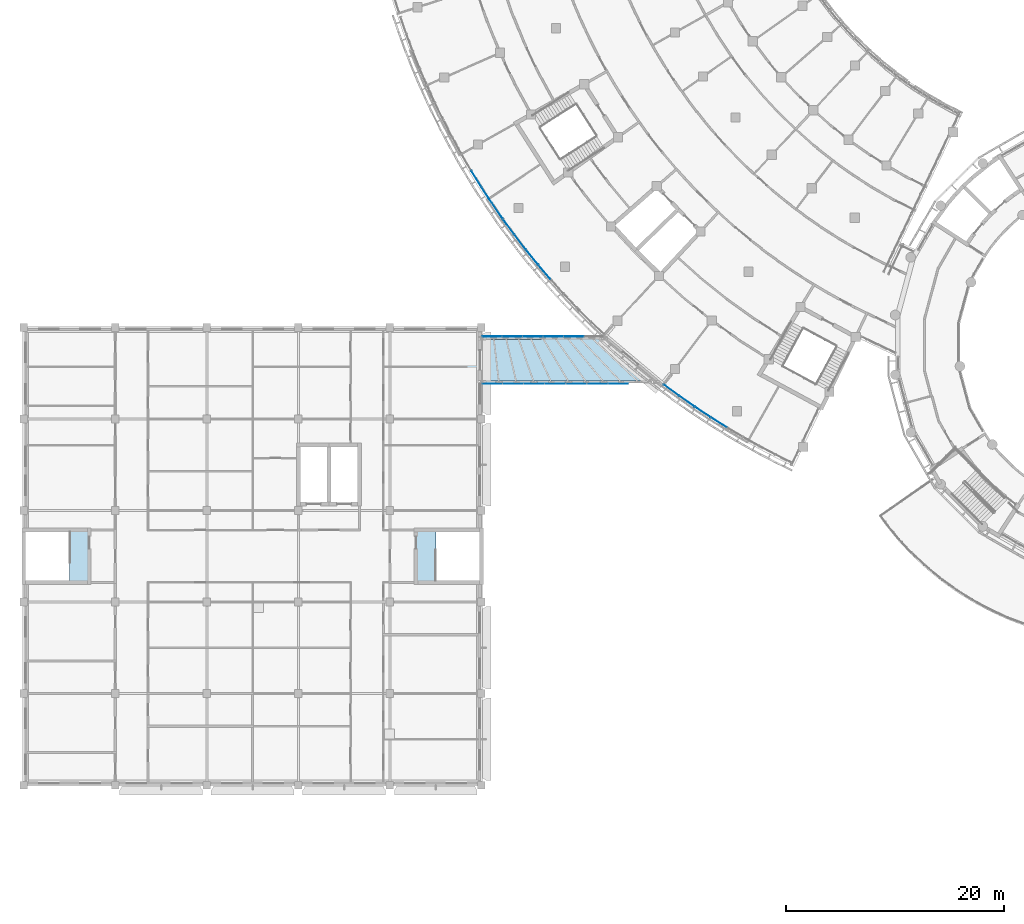
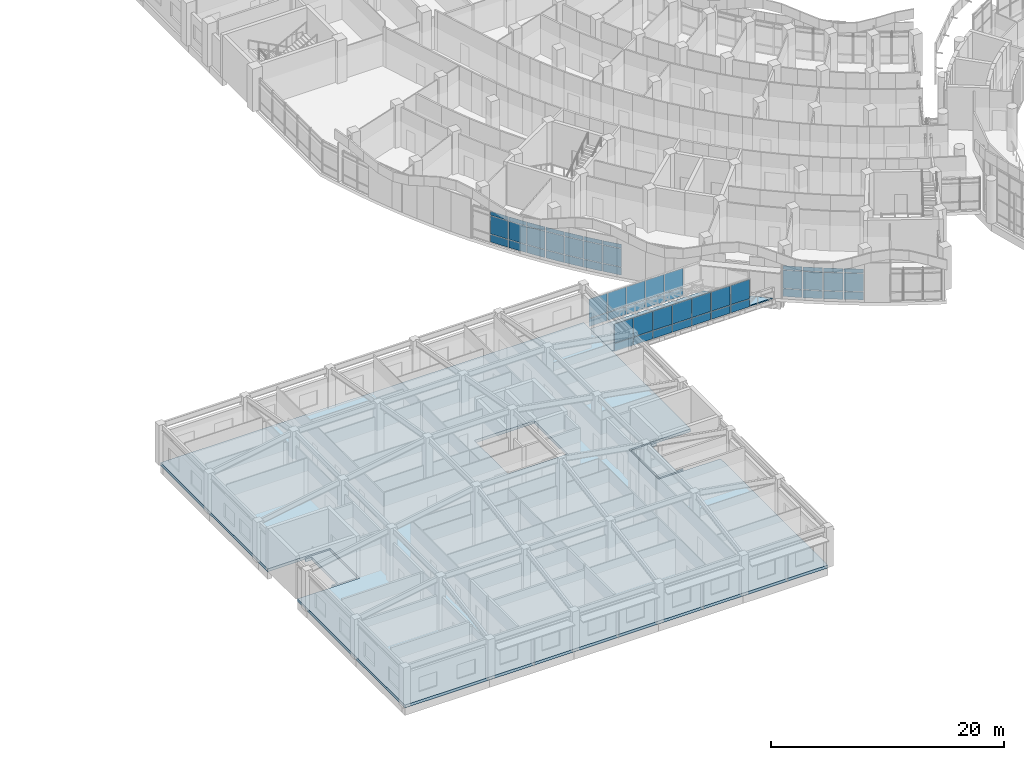
# One storey, part 40 of 136: 57 plates, 4 slabs, 5 elements without a shape of their own.
"""IFC4 building model written with IfcOpenShell, lengths in metres."""

from ifc_helpers import new_model, si_unit, direction, frame, origin, origin_2d, place, context, subcontext, project, spatial, polyline, rectangle, outline, extrude, material, layer, layer_set, type_object, element, aggregate, save


model = new_model("IFC4")

# Units and contexts
model_context = context("Model", 3, precision=1e-05, world=origin(), true_north=direction((0.0, 1.0)))
body_context = subcontext(model_context, "Body", "Model", "MODEL_VIEW")
ifc_project = project(units=[si_unit("LENGTHUNIT", "METRE"), si_unit("AREAUNIT", "SQUARE_METRE"), si_unit("VOLUMEUNIT", "CUBIC_METRE"), si_unit("PLANEANGLEUNIT", "RADIAN"), si_unit("MASSUNIT", "GRAM", prefix="KILO")], contexts=[model_context])

# Site, building, storey
site_placement = place(None, origin())
site = spatial("IfcSite", under=ifc_project, at=site_placement, CompositionType="ELEMENT")
building_placement = place(site_placement, origin())
building = spatial("IfcBuilding", under=site, at=building_placement, Name="Bougainvillea Quay General Hospital", CompositionType="ELEMENT")
storey_placement = place(building_placement, frame((0.0, 0.0, 5.39990234375)))
storey = spatial("IfcBuildingStorey", under=building, at=storey_placement, Name="L01", CompositionType="ELEMENT", Elevation=5.39990234375)

# Curtain wall, plates
ifc_material_1 = material(Name="Aluminium curtain wall system, powder-coated glazed", Category="aluminium")
curtain_wall_type = type_object("IfcCurtainWallType", Name="Unitised curtain wall CW-2100", PredefinedType="NOTDEFINED", material=ifc_material_1)
curtain_wall_1_placement = place(storey_placement, origin())
curtain_wall_1 = element("IfcCurtainWall", 1, at=curtain_wall_1_placement, inside=storey, type_object=curtain_wall_type, Name="CW-W02 a01b1", PredefinedType="NOTDEFINED")
ifc_material_2 = material(Name="Insulated aluminium spandrel panel, white", Category="aluminium")
ifc_layer_1 = layer(ifc_material_2, 0.028076171875)
ifc_layer_set_1 = layer_set([ifc_layer_1], Name="Insulated aluminium spandrel panel, white")
plate_type_1 = type_object("IfcPlateType", Name="Insulated spandrel panel white 28", PredefinedType="CURTAIN_PANEL", material=ifc_layer_set_1)
plate_1_placement = place(storey_placement, frame((72.188720703125, 66.88623046875, 0.06005859375), z_axis=(0.0, 0.0, 1.0), x_axis=(-0.847691824545, 0.530488991968, 0.0)))
plate_1 = element("IfcPlate", 2, at=plate_1_placement, type_object=plate_type_1, Name="CW-W02 spandrel panel 1.1", PredefinedType="CURTAIN_PANEL", context=body_context, shape_type="SweptSolid", body=[
    extrude(rectangle(XDim=1.6787109375, YDim=0.028076171875, at=origin_2d()), origin(), (0.0, 0.0, 1.0), 0.81005859375),
])
plate_2_placement = place(storey_placement, frame((72.188720703125, 66.88623046875, 2.88037109375), z_axis=(0.0, 0.0, 1.0), x_axis=(-0.847691824545, 0.530488991968, 0.0)))
plate_2 = element("IfcPlate", 3, at=plate_2_placement, type_object=plate_type_1, Name="CW-W02 spandrel panel 1.3", PredefinedType="CURTAIN_PANEL", context=body_context, shape_type="SweptSolid", body=[
    extrude(rectangle(XDim=1.6787109375, YDim=0.028076171875, at=origin_2d()), origin(), (0.0, 0.0, 1.0), 0.409912109375),
])
plate_3_placement = place(storey_placement, frame((70.714111328125, 67.83544921875, 0.06005859375), z_axis=(0.0, 0.0, 1.0), x_axis=(-0.833967694391, 0.551813269787, 0.0)))
plate_3 = element("IfcPlate", 4, at=plate_3_placement, type_object=plate_type_1, Name="CW-W02 spandrel panel 2.1", PredefinedType="CURTAIN_PANEL", context=body_context, shape_type="SweptSolid", body=[
    extrude(rectangle(XDim=1.708740234375, YDim=0.028076171875, at=origin_2d()), origin(), (0.0, 0.0, 1.0), 0.81005859375),
])
plate_4_placement = place(storey_placement, frame((70.714111328125, 67.83544921875, 2.88037109375), z_axis=(0.0, 0.0, 1.0), x_axis=(-0.833967694391, 0.551813269787, 0.0)))
plate_4 = element("IfcPlate", 5, at=plate_4_placement, type_object=plate_type_1, Name="CW-W02 spandrel panel 2.3", PredefinedType="CURTAIN_PANEL", context=body_context, shape_type="SweptSolid", body=[
    extrude(rectangle(XDim=1.708740234375, YDim=0.028076171875, at=origin_2d()), origin(), (0.0, 0.0, 1.0), 0.409912109375),
])
plate_5_placement = place(storey_placement, frame((69.251708984375, 68.830078125, 0.06005859375), z_axis=(0.0, 0.0, 1.0), x_axis=(-0.819707259149, 0.572782689419, 0.0)))
plate_5 = element("IfcPlate", 6, at=plate_5_placement, type_object=plate_type_1, Name="CW-W02 spandrel panel 3.1", PredefinedType="CURTAIN_PANEL", context=body_context, shape_type="SweptSolid", body=[
    extrude(rectangle(XDim=1.708740234375, YDim=0.028076171875, at=origin_2d()), origin(), (0.0, 0.0, 1.0), 0.81005859375),
])
plate_6_placement = place(storey_placement, frame((69.251708984375, 68.830078125, 2.88037109375), z_axis=(0.0, 0.0, 1.0), x_axis=(-0.819707259149, 0.572782689419, 0.0)))
plate_6 = element("IfcPlate", 7, at=plate_6_placement, type_object=plate_type_1, Name="CW-W02 spandrel panel 3.3", PredefinedType="CURTAIN_PANEL", context=body_context, shape_type="SweptSolid", body=[
    extrude(rectangle(XDim=1.708740234375, YDim=0.028076171875, at=origin_2d()), origin(), (0.0, 0.0, 1.0), 0.409912109375),
])
plate_7_placement = place(storey_placement, frame((67.826904296875, 69.8525390625, 0.06005859375), z_axis=(0.0, 0.0, 1.0), x_axis=(-0.804919689373, 0.593383765922, 0.0)))
plate_7 = element("IfcPlate", 8, at=plate_7_placement, type_object=plate_type_1, Name="CW-W02 spandrel panel 4.1", PredefinedType="CURTAIN_PANEL", context=body_context, shape_type="SweptSolid", body=[
    extrude(rectangle(XDim=1.6787109375, YDim=0.028076171875, at=origin_2d()), origin(), (0.0, 0.0, 1.0), 0.81005859375),
])
plate_8_placement = place(storey_placement, frame((67.826904296875, 69.8525390625, 2.88037109375), z_axis=(0.0, 0.0, 1.0), x_axis=(-0.804919689373, 0.593383765922, 0.0)))
plate_8 = element("IfcPlate", 9, at=plate_8_placement, type_object=plate_type_1, Name="CW-W02 spandrel panel 4.3", PredefinedType="CURTAIN_PANEL", context=body_context, shape_type="SweptSolid", body=[
    extrude(rectangle(XDim=1.6787109375, YDim=0.028076171875, at=origin_2d()), origin(), (0.0, 0.0, 1.0), 0.409912109375),
])

curtain_wall_2_placement = place(storey_placement, origin())
curtain_wall_2 = element("IfcCurtainWall", 10, at=curtain_wall_2_placement, inside=storey, type_object=curtain_wall_type, Name="CW-W05 a01b4", PredefinedType="NOTDEFINED")
plate_9_placement = place(storey_placement, frame((56.17626953125, 80.6923828125, 0.06005859375), z_axis=(0.0, 0.0, 1.0), x_axis=(-0.649786409486, 0.760116847627, 0.0)))
plate_9 = element("IfcPlate", 11, at=plate_9_placement, type_object=plate_type_1, Name="CW-W05 spandrel panel 1.1", PredefinedType="CURTAIN_PANEL", context=body_context, shape_type="SweptSolid", body=[
    extrude(rectangle(XDim=1.6787109375, YDim=0.028076171875, at=origin_2d()), origin(), (0.0, 0.0, 1.0), 0.81005859375),
])
plate_10_placement = place(storey_placement, frame((56.17626953125, 80.6923828125, 2.88037109375), z_axis=(0.0, 0.0, 1.0), x_axis=(-0.649786409486, 0.760116847627, 0.0)))
plate_10 = element("IfcPlate", 12, at=plate_10_placement, type_object=plate_type_1, Name="CW-W05 spandrel panel 1.3", PredefinedType="CURTAIN_PANEL", context=body_context, shape_type="SweptSolid", body=[
    extrude(rectangle(XDim=1.6787109375, YDim=0.028076171875, at=origin_2d()), origin(), (0.0, 0.0, 1.0), 0.409912109375),
])
plate_11_placement = place(storey_placement, frame((55.053955078125, 82.039794921875, 0.06005859375), z_axis=(0.0, 0.0, 1.0), x_axis=(-0.630303259266, 0.776349020324, 0.0)))
plate_11 = element("IfcPlate", 13, at=plate_11_placement, type_object=plate_type_1, Name="CW-W05 spandrel panel 2.1", PredefinedType="CURTAIN_PANEL", context=body_context, shape_type="SweptSolid", body=[
    extrude(rectangle(XDim=1.708740234375, YDim=0.028076171875, at=origin_2d()), origin(), (0.0, 0.0, 1.0), 0.81005859375),
])
plate_12_placement = place(storey_placement, frame((55.053955078125, 82.039794921875, 2.88037109375), z_axis=(0.0, 0.0, 1.0), x_axis=(-0.630303259266, 0.776349020324, 0.0)))
plate_12 = element("IfcPlate", 14, at=plate_12_placement, type_object=plate_type_1, Name="CW-W05 spandrel panel 2.3", PredefinedType="CURTAIN_PANEL", context=body_context, shape_type="SweptSolid", body=[
    extrude(rectangle(XDim=1.708740234375, YDim=0.028076171875, at=origin_2d()), origin(), (0.0, 0.0, 1.0), 0.409912109375),
])
plate_13_placement = place(storey_placement, frame((53.956787109375, 83.427001953125, 0.06005859375), z_axis=(0.0, 0.0, 1.0), x_axis=(-0.610414775786, 0.792081941154, 0.0)))
plate_13 = element("IfcPlate", 15, at=plate_13_placement, type_object=plate_type_1, Name="CW-W05 spandrel panel 3.1", PredefinedType="CURTAIN_PANEL", context=body_context, shape_type="SweptSolid", body=[
    extrude(rectangle(XDim=1.708740234375, YDim=0.028076171875, at=origin_2d()), origin(), (0.0, 0.0, 1.0), 0.81005859375),
])
plate_14_placement = place(storey_placement, frame((53.956787109375, 83.427001953125, 2.88037109375), z_axis=(0.0, 0.0, 1.0), x_axis=(-0.610414775786, 0.792081941154, 0.0)))
plate_14 = element("IfcPlate", 16, at=plate_14_placement, type_object=plate_type_1, Name="CW-W05 spandrel panel 3.3", PredefinedType="CURTAIN_PANEL", context=body_context, shape_type="SweptSolid", body=[
    extrude(rectangle(XDim=1.708740234375, YDim=0.028076171875, at=origin_2d()), origin(), (0.0, 0.0, 1.0), 0.409912109375),
])
plate_15_placement = place(storey_placement, frame((52.90380859375, 84.829345703125, 0.06005859375), z_axis=(0.0, 0.0, 1.0), x_axis=(-0.590133748864, 0.807305492643, 0.0)))
plate_15 = element("IfcPlate", 17, at=plate_15_placement, type_object=plate_type_1, Name="CW-W05 spandrel panel 4.1", PredefinedType="CURTAIN_PANEL", context=body_context, shape_type="SweptSolid", body=[
    extrude(rectangle(XDim=1.6787109375, YDim=0.028076171875, at=origin_2d()), origin(), (0.0, 0.0, 1.0), 0.81005859375),
])
plate_16_placement = place(storey_placement, frame((52.90380859375, 84.829345703125, 2.88037109375), z_axis=(0.0, 0.0, 1.0), x_axis=(-0.590133748864, 0.807305492643, 0.0)))
plate_16 = element("IfcPlate", 18, at=plate_16_placement, type_object=plate_type_1, Name="CW-W05 spandrel panel 4.3", PredefinedType="CURTAIN_PANEL", context=body_context, shape_type="SweptSolid", body=[
    extrude(rectangle(XDim=1.6787109375, YDim=0.028076171875, at=origin_2d()), origin(), (0.0, 0.0, 1.0), 0.409912109375),
])

curtain_wall_3_placement = place(storey_placement, origin())
curtain_wall_3 = element("IfcCurtainWall", 19, at=curtain_wall_3_placement, inside=storey, type_object=curtain_wall_type, Name="CW-W06 a01b5", PredefinedType="NOTDEFINED")
plate_17_placement = place(storey_placement, frame((51.86083984375, 86.294677734375, 0.06005859375), z_axis=(0.0, 0.0, 1.0), x_axis=(-0.569473220753, 0.822009884883, 0.0)))
plate_17 = element("IfcPlate", 20, at=plate_17_placement, type_object=plate_type_1, Name="CW-W06 spandrel panel 1.1", PredefinedType="CURTAIN_PANEL", context=body_context, shape_type="SweptSolid", body=[
    extrude(rectangle(XDim=1.6787109375, YDim=0.028076171875, at=origin_2d()), origin(), (0.0, 0.0, 1.0), 0.81005859375),
])
plate_18_placement = place(storey_placement, frame((51.86083984375, 86.294677734375, 2.88037109375), z_axis=(0.0, 0.0, 1.0), x_axis=(-0.569473220753, 0.822009884883, 0.0)))
plate_18 = element("IfcPlate", 21, at=plate_18_placement, type_object=plate_type_1, Name="CW-W06 spandrel panel 1.3", PredefinedType="CURTAIN_PANEL", context=body_context, shape_type="SweptSolid", body=[
    extrude(rectangle(XDim=1.6787109375, YDim=0.028076171875, at=origin_2d()), origin(), (0.0, 0.0, 1.0), 0.409912109375),
])
plate_19_placement = place(storey_placement, frame((50.880859375, 87.7490234375, 0.06005859375), z_axis=(0.0, 0.0, 1.0), x_axis=(-0.548446477755, 0.836185661823, 0.0)))
plate_19 = element("IfcPlate", 22, at=plate_19_placement, type_object=plate_type_1, Name="CW-W06 spandrel panel 2.1", PredefinedType="CURTAIN_PANEL", context=body_context, shape_type="SweptSolid", body=[
    extrude(rectangle(XDim=1.708740234375, YDim=0.028076171875, at=origin_2d()), origin(), (0.0, 0.0, 1.0), 0.81005859375),
])
plate_20_placement = place(storey_placement, frame((50.880859375, 87.7490234375, 2.88037109375), z_axis=(0.0, 0.0, 1.0), x_axis=(-0.548446477755, 0.836185661823, 0.0)))
plate_20 = element("IfcPlate", 23, at=plate_20_placement, type_object=plate_type_1, Name="CW-W06 spandrel panel 2.3", PredefinedType="CURTAIN_PANEL", context=body_context, shape_type="SweptSolid", body=[
    extrude(rectangle(XDim=1.708740234375, YDim=0.028076171875, at=origin_2d()), origin(), (0.0, 0.0, 1.0), 0.409912109375),
])
plate_21_placement = place(storey_placement, frame((49.9296875, 89.239990234375, 0.06005859375), z_axis=(0.0, 0.0, 1.0), x_axis=(-0.527067041675, 0.849823707353, 0.0)))
plate_21 = element("IfcPlate", 24, at=plate_21_placement, type_object=plate_type_1, Name="CW-W06 spandrel panel 3.1", PredefinedType="CURTAIN_PANEL", context=body_context, shape_type="SweptSolid", body=[
    extrude(rectangle(XDim=1.708740234375, YDim=0.028076171875, at=origin_2d()), origin(), (0.0, 0.0, 1.0), 0.81005859375),
])
plate_22_placement = place(storey_placement, frame((49.9296875, 89.239990234375, 2.88037109375), z_axis=(0.0, 0.0, 1.0), x_axis=(-0.527067041675, 0.849823707353, 0.0)))
plate_22 = element("IfcPlate", 25, at=plate_22_placement, type_object=plate_type_1, Name="CW-W06 spandrel panel 3.3", PredefinedType="CURTAIN_PANEL", context=body_context, shape_type="SweptSolid", body=[
    extrude(rectangle(XDim=1.708740234375, YDim=0.028076171875, at=origin_2d()), origin(), (0.0, 0.0, 1.0), 0.409912109375),
])

curtain_wall_4_placement = place(storey_placement, origin())
curtain_wall_4 = element("IfcCurtainWall", 26, at=curtain_wall_4_placement, inside=storey, type_object=curtain_wall_type, Name="BG-L L", PredefinedType="NOTDEFINED")
plate_23_placement = place(storey_placement, frame((51.355712890625, 74.760009765625, 0.06005859375), z_axis=(0.0, 0.0, 1.0), x_axis=(1.0, 0.0, 0.0)))
plate_23 = element("IfcPlate", 27, at=plate_23_placement, type_object=plate_type_1, Name="BG-L spandrel panel 1.1", PredefinedType="CURTAIN_PANEL", context=body_context, shape_type="SweptSolid", body=[
    extrude(rectangle(XDim=1.791259765625, YDim=0.028076171875, at=origin_2d()), origin(), (0.0, 0.0, 1.0), 0.81005859375),
])
plate_24_placement = place(storey_placement, frame((53.221923828125, 74.760009765625, 0.06005859375), z_axis=(0.0, 0.0, 1.0), x_axis=(1.0, 0.0, 0.0)))
plate_24 = element("IfcPlate", 28, at=plate_24_placement, type_object=plate_type_1, Name="BG-L spandrel panel 2.1", PredefinedType="CURTAIN_PANEL", context=body_context, shape_type="SweptSolid", body=[
    extrude(rectangle(XDim=1.8212890625, YDim=0.028076171875, at=origin_2d()), origin(), (0.0, 0.0, 1.0), 0.81005859375),
])
plate_25_placement = place(storey_placement, frame((55.10302734375, 74.760009765625, 0.06005859375), z_axis=(0.0, 0.0, 1.0), x_axis=(1.0, 0.0, 0.0)))
plate_25 = element("IfcPlate", 29, at=plate_25_placement, type_object=plate_type_1, Name="BG-L spandrel panel 3.1", PredefinedType="CURTAIN_PANEL", context=body_context, shape_type="SweptSolid", body=[
    extrude(rectangle(XDim=1.8212890625, YDim=0.028076171875, at=origin_2d()), origin(), (0.0, 0.0, 1.0), 0.81005859375),
])
plate_26_placement = place(storey_placement, frame((56.984375, 74.760009765625, 0.06005859375), z_axis=(0.0, 0.0, 1.0), x_axis=(1.0, 0.0, 0.0)))
plate_26 = element("IfcPlate", 30, at=plate_26_placement, type_object=plate_type_1, Name="BG-L spandrel panel 4.1", PredefinedType="CURTAIN_PANEL", context=body_context, shape_type="SweptSolid", body=[
    extrude(rectangle(XDim=1.8212890625, YDim=0.028076171875, at=origin_2d()), origin(), (0.0, 0.0, 1.0), 0.81005859375),
])
plate_27_placement = place(storey_placement, frame((58.865478515625, 74.760009765625, 0.06005859375), z_axis=(0.0, 0.0, 1.0), x_axis=(1.0, 0.0, 0.0)))
plate_27 = element("IfcPlate", 31, at=plate_27_placement, type_object=plate_type_1, Name="BG-L spandrel panel 5.1", PredefinedType="CURTAIN_PANEL", context=body_context, shape_type="SweptSolid", body=[
    extrude(rectangle(XDim=1.8212890625, YDim=0.028076171875, at=origin_2d()), origin(), (0.0, 0.0, 1.0), 0.81005859375),
])

curtain_wall_5_placement = place(storey_placement, origin())
curtain_wall_5 = element("IfcCurtainWall", 32, at=curtain_wall_5_placement, inside=storey, type_object=curtain_wall_type, Name="BG-R R", PredefinedType="NOTDEFINED")
plate_28_placement = place(storey_placement, frame((62.957763671875, 70.43994140625, 0.06005859375), z_axis=(0.0, 0.0, 1.0), x_axis=(-1.0, 0.0, 0.0)))
plate_28 = element("IfcPlate", 33, at=plate_28_placement, type_object=plate_type_1, Name="BG-R spandrel panel 1.1", PredefinedType="CURTAIN_PANEL", context=body_context, shape_type="SweptSolid", body=[
    extrude(rectangle(XDim=1.84423828125, YDim=0.028076171875, at=origin_2d()), origin(), (0.0, 0.0, 1.0), 0.81005859375),
])
plate_29_placement = place(storey_placement, frame((61.03857421875, 70.43994140625, 0.06005859375), z_axis=(0.0, 0.0, 1.0), x_axis=(-1.0, 0.0, 0.0)))
plate_29 = element("IfcPlate", 34, at=plate_29_placement, type_object=plate_type_1, Name="BG-R spandrel panel 2.1", PredefinedType="CURTAIN_PANEL", context=body_context, shape_type="SweptSolid", body=[
    extrude(rectangle(XDim=1.874267578125, YDim=0.028076171875, at=origin_2d()), origin(), (0.0, 0.0, 1.0), 0.81005859375),
])
plate_30_placement = place(storey_placement, frame((59.104248046875, 70.43994140625, 0.06005859375), z_axis=(0.0, 0.0, 1.0), x_axis=(-1.0, 0.0, 0.0)))
plate_30 = element("IfcPlate", 35, at=plate_30_placement, type_object=plate_type_1, Name="BG-R spandrel panel 3.1", PredefinedType="CURTAIN_PANEL", context=body_context, shape_type="SweptSolid", body=[
    extrude(rectangle(XDim=1.874267578125, YDim=0.028076171875, at=origin_2d()), origin(), (0.0, 0.0, 1.0), 0.81005859375),
])
plate_31_placement = place(storey_placement, frame((57.169921875, 70.43994140625, 0.06005859375), z_axis=(0.0, 0.0, 1.0), x_axis=(-1.0, 0.0, 0.0)))
plate_31 = element("IfcPlate", 36, at=plate_31_placement, type_object=plate_type_1, Name="BG-R spandrel panel 4.1", PredefinedType="CURTAIN_PANEL", context=body_context, shape_type="SweptSolid", body=[
    extrude(rectangle(XDim=1.874267578125, YDim=0.028076171875, at=origin_2d()), origin(), (0.0, 0.0, 1.0), 0.81005859375),
])
plate_32_placement = place(storey_placement, frame((55.235595703125, 70.43994140625, 0.06005859375), z_axis=(0.0, 0.0, 1.0), x_axis=(-1.0, 0.0, 0.0)))
plate_32 = element("IfcPlate", 37, at=plate_32_placement, type_object=plate_type_1, Name="BG-R spandrel panel 5.1", PredefinedType="CURTAIN_PANEL", context=body_context, shape_type="SweptSolid", body=[
    extrude(rectangle(XDim=1.874267578125, YDim=0.028076171875, at=origin_2d()), origin(), (0.0, 0.0, 1.0), 0.81005859375),
])
plate_33_placement = place(storey_placement, frame((53.301513671875, 70.43994140625, 0.06005859375), z_axis=(0.0, 0.0, 1.0), x_axis=(-1.0, 0.0, 0.0)))
plate_33 = element("IfcPlate", 38, at=plate_33_placement, type_object=plate_type_1, Name="BG-R spandrel panel 6.1", PredefinedType="CURTAIN_PANEL", context=body_context, shape_type="SweptSolid", body=[
    extrude(rectangle(XDim=1.874267578125, YDim=0.028076171875, at=origin_2d()), origin(), (0.0, 0.0, 1.0), 0.81005859375),
])
plate_34_placement = place(storey_placement, frame((51.382080078125, 70.43994140625, 0.06005859375), z_axis=(0.0, 0.0, 1.0), x_axis=(-1.0, 0.0, 0.0)))
plate_34 = element("IfcPlate", 39, at=plate_34_placement, type_object=plate_type_1, Name="BG-R spandrel panel 7.1", PredefinedType="CURTAIN_PANEL", context=body_context, shape_type="SweptSolid", body=[
    extrude(rectangle(XDim=1.84423828125, YDim=0.028076171875, at=origin_2d()), origin(), (0.0, 0.0, 1.0), 0.81005859375),
])

# Plate
ifc_material_3 = material(Name="Low-e laminated glass, solar control", Category="glass")
ifc_layer_2 = layer(ifc_material_3, 0.028076171875)
ifc_layer_set_2 = layer_set([ifc_layer_2], Name="Low-e laminated glass, solar control")
plate_type_2 = type_object("IfcPlateType", Name="Low-e laminated vision glass 28", PredefinedType="CURTAIN_PANEL", material=ifc_layer_set_2)
plate_35_placement = place(storey_placement, frame((72.188720703125, 66.88623046875, 0.93017578125), z_axis=(0.0, 0.0, 1.0), x_axis=(-0.847691824545, 0.530488991968, 0.0)))
plate_35 = element("IfcPlate", 40, at=plate_35_placement, type_object=plate_type_2, Name="CW-W02 vision glass panel 1.2", PredefinedType="CURTAIN_PANEL", context=body_context, shape_type="SweptSolid", body=[
    extrude(rectangle(XDim=1.6787109375, YDim=0.028076171875, at=origin_2d()), origin(), (0.0, 0.0, 1.0), 1.889892578125),
])

plate_36_placement = place(storey_placement, frame((70.714111328125, 67.83544921875, 0.93017578125), z_axis=(0.0, 0.0, 1.0), x_axis=(-0.833967694391, 0.551813269787, 0.0)))
plate_36 = element("IfcPlate", 41, at=plate_36_placement, type_object=plate_type_2, Name="CW-W02 vision glass panel 2.2", PredefinedType="CURTAIN_PANEL", context=body_context, shape_type="SweptSolid", body=[
    extrude(rectangle(XDim=1.708740234375, YDim=0.028076171875, at=origin_2d()), origin(), (0.0, 0.0, 1.0), 1.889892578125),
])

plate_37_placement = place(storey_placement, frame((69.251708984375, 68.830078125, 0.93017578125), z_axis=(0.0, 0.0, 1.0), x_axis=(-0.819707259149, 0.572782689419, 0.0)))
plate_37 = element("IfcPlate", 42, at=plate_37_placement, type_object=plate_type_2, Name="CW-W02 vision glass panel 3.2", PredefinedType="CURTAIN_PANEL", context=body_context, shape_type="SweptSolid", body=[
    extrude(rectangle(XDim=1.708740234375, YDim=0.028076171875, at=origin_2d()), origin(), (0.0, 0.0, 1.0), 1.889892578125),
])

plate_38_placement = place(storey_placement, frame((67.826904296875, 69.8525390625, 0.93017578125), z_axis=(0.0, 0.0, 1.0), x_axis=(-0.804919689373, 0.593383765922, 0.0)))
plate_38 = element("IfcPlate", 43, at=plate_38_placement, type_object=plate_type_2, Name="CW-W02 vision glass panel 4.2", PredefinedType="CURTAIN_PANEL", context=body_context, shape_type="SweptSolid", body=[
    extrude(rectangle(XDim=1.6787109375, YDim=0.028076171875, at=origin_2d()), origin(), (0.0, 0.0, 1.0), 1.889892578125),
])

aggregate(curtain_wall_1, [plate_1, plate_35, plate_2, plate_3, plate_36, plate_4, plate_5, plate_37, plate_6, plate_7, plate_38, plate_8])

plate_39_placement = place(storey_placement, frame((56.17626953125, 80.6923828125, 0.93017578125), z_axis=(0.0, 0.0, 1.0), x_axis=(-0.649786409486, 0.760116847627, 0.0)))
plate_39 = element("IfcPlate", 44, at=plate_39_placement, type_object=plate_type_2, Name="CW-W05 vision glass panel 1.2", PredefinedType="CURTAIN_PANEL", context=body_context, shape_type="SweptSolid", body=[
    extrude(rectangle(XDim=1.6787109375, YDim=0.028076171875, at=origin_2d()), origin(), (0.0, 0.0, 1.0), 1.889892578125),
])

plate_40_placement = place(storey_placement, frame((55.053955078125, 82.039794921875, 0.93017578125), z_axis=(0.0, 0.0, 1.0), x_axis=(-0.630303259266, 0.776349020324, 0.0)))
plate_40 = element("IfcPlate", 45, at=plate_40_placement, type_object=plate_type_2, Name="CW-W05 vision glass panel 2.2", PredefinedType="CURTAIN_PANEL", context=body_context, shape_type="SweptSolid", body=[
    extrude(rectangle(XDim=1.708740234375, YDim=0.028076171875, at=origin_2d()), origin(), (0.0, 0.0, 1.0), 1.889892578125),
])

plate_41_placement = place(storey_placement, frame((53.956787109375, 83.427001953125, 0.93017578125), z_axis=(0.0, 0.0, 1.0), x_axis=(-0.610414775786, 0.792081941154, 0.0)))
plate_41 = element("IfcPlate", 46, at=plate_41_placement, type_object=plate_type_2, Name="CW-W05 vision glass panel 3.2", PredefinedType="CURTAIN_PANEL", context=body_context, shape_type="SweptSolid", body=[
    extrude(rectangle(XDim=1.708740234375, YDim=0.028076171875, at=origin_2d()), origin(), (0.0, 0.0, 1.0), 1.889892578125),
])

plate_42_placement = place(storey_placement, frame((52.90380859375, 84.829345703125, 0.93017578125), z_axis=(0.0, 0.0, 1.0), x_axis=(-0.590133748864, 0.807305492643, 0.0)))
plate_42 = element("IfcPlate", 47, at=plate_42_placement, type_object=plate_type_2, Name="CW-W05 vision glass panel 4.2", PredefinedType="CURTAIN_PANEL", context=body_context, shape_type="SweptSolid", body=[
    extrude(rectangle(XDim=1.6787109375, YDim=0.028076171875, at=origin_2d()), origin(), (0.0, 0.0, 1.0), 1.889892578125),
])

aggregate(curtain_wall_2, [plate_9, plate_39, plate_10, plate_11, plate_40, plate_12, plate_13, plate_41, plate_14, plate_15, plate_42, plate_16])

plate_43_placement = place(storey_placement, frame((51.86083984375, 86.294677734375, 0.93017578125), z_axis=(0.0, 0.0, 1.0), x_axis=(-0.569473220753, 0.822009884883, 0.0)))
plate_43 = element("IfcPlate", 48, at=plate_43_placement, type_object=plate_type_2, Name="CW-W06 vision glass panel 1.2", PredefinedType="CURTAIN_PANEL", context=body_context, shape_type="SweptSolid", body=[
    extrude(rectangle(XDim=1.6787109375, YDim=0.028076171875, at=origin_2d()), origin(), (0.0, 0.0, 1.0), 1.889892578125),
])

plate_44_placement = place(storey_placement, frame((50.880859375, 87.7490234375, 0.93017578125), z_axis=(0.0, 0.0, 1.0), x_axis=(-0.548446477755, 0.836185661823, 0.0)))
plate_44 = element("IfcPlate", 49, at=plate_44_placement, type_object=plate_type_2, Name="CW-W06 vision glass panel 2.2", PredefinedType="CURTAIN_PANEL", context=body_context, shape_type="SweptSolid", body=[
    extrude(rectangle(XDim=1.708740234375, YDim=0.028076171875, at=origin_2d()), origin(), (0.0, 0.0, 1.0), 1.889892578125),
])

plate_45_placement = place(storey_placement, frame((49.9296875, 89.239990234375, 0.93017578125), z_axis=(0.0, 0.0, 1.0), x_axis=(-0.527067041675, 0.849823707353, 0.0)))
plate_45 = element("IfcPlate", 50, at=plate_45_placement, type_object=plate_type_2, Name="CW-W06 vision glass panel 3.2", PredefinedType="CURTAIN_PANEL", context=body_context, shape_type="SweptSolid", body=[
    extrude(rectangle(XDim=1.708740234375, YDim=0.028076171875, at=origin_2d()), origin(), (0.0, 0.0, 1.0), 1.889892578125),
])

aggregate(curtain_wall_3, [plate_17, plate_43, plate_18, plate_19, plate_44, plate_20, plate_21, plate_45, plate_22])

plate_46_placement = place(storey_placement, frame((51.355712890625, 74.760009765625, 0.93017578125), z_axis=(0.0, 0.0, 1.0), x_axis=(1.0, 0.0, 0.0)))
plate_46 = element("IfcPlate", 51, at=plate_46_placement, type_object=plate_type_2, Name="BG-L vision glass panel 1.2", PredefinedType="CURTAIN_PANEL", context=body_context, shape_type="SweptSolid", body=[
    extrude(rectangle(XDim=1.791259765625, YDim=0.028076171875, at=origin_2d()), origin(), (0.0, 0.0, 1.0), 2.010009765625),
])

plate_47_placement = place(storey_placement, frame((53.221923828125, 74.760009765625, 0.93017578125), z_axis=(0.0, 0.0, 1.0), x_axis=(1.0, 0.0, 0.0)))
plate_47 = element("IfcPlate", 52, at=plate_47_placement, type_object=plate_type_2, Name="BG-L vision glass panel 2.2", PredefinedType="CURTAIN_PANEL", context=body_context, shape_type="SweptSolid", body=[
    extrude(rectangle(XDim=1.8212890625, YDim=0.028076171875, at=origin_2d()), origin(), (0.0, 0.0, 1.0), 2.010009765625),
])

plate_48_placement = place(storey_placement, frame((55.10302734375, 74.760009765625, 0.93017578125), z_axis=(0.0, 0.0, 1.0), x_axis=(1.0, 0.0, 0.0)))
plate_48 = element("IfcPlate", 53, at=plate_48_placement, type_object=plate_type_2, Name="BG-L vision glass panel 3.2", PredefinedType="CURTAIN_PANEL", context=body_context, shape_type="SweptSolid", body=[
    extrude(rectangle(XDim=1.8212890625, YDim=0.028076171875, at=origin_2d()), origin(), (0.0, 0.0, 1.0), 2.010009765625),
])

plate_49_placement = place(storey_placement, frame((56.984375, 74.760009765625, 0.93017578125), z_axis=(0.0, 0.0, 1.0), x_axis=(1.0, 0.0, 0.0)))
plate_49 = element("IfcPlate", 54, at=plate_49_placement, type_object=plate_type_2, Name="BG-L vision glass panel 4.2", PredefinedType="CURTAIN_PANEL", context=body_context, shape_type="SweptSolid", body=[
    extrude(rectangle(XDim=1.8212890625, YDim=0.028076171875, at=origin_2d()), origin(), (0.0, 0.0, 1.0), 2.010009765625),
])

plate_50_placement = place(storey_placement, frame((58.865478515625, 74.760009765625, 0.93017578125), z_axis=(0.0, 0.0, 1.0), x_axis=(1.0, 0.0, 0.0)))
plate_50 = element("IfcPlate", 55, at=plate_50_placement, type_object=plate_type_2, Name="BG-L vision glass panel 5.2", PredefinedType="CURTAIN_PANEL", context=body_context, shape_type="SweptSolid", body=[
    extrude(rectangle(XDim=1.8212890625, YDim=0.028076171875, at=origin_2d()), origin(), (0.0, 0.0, 1.0), 2.010009765625),
])

aggregate(curtain_wall_4, [plate_23, plate_46, plate_24, plate_47, plate_25, plate_48, plate_26, plate_49, plate_27, plate_50])

plate_51_placement = place(storey_placement, frame((62.957763671875, 70.43994140625, 0.93017578125), z_axis=(0.0, 0.0, 1.0), x_axis=(-1.0, 0.0, 0.0)))
plate_51 = element("IfcPlate", 56, at=plate_51_placement, type_object=plate_type_2, Name="BG-R vision glass panel 1.2", PredefinedType="CURTAIN_PANEL", context=body_context, shape_type="SweptSolid", body=[
    extrude(rectangle(XDim=1.84423828125, YDim=0.028076171875, at=origin_2d()), origin(), (0.0, 0.0, 1.0), 2.010009765625),
])

plate_52_placement = place(storey_placement, frame((61.03857421875, 70.43994140625, 0.93017578125), z_axis=(0.0, 0.0, 1.0), x_axis=(-1.0, 0.0, 0.0)))
plate_52 = element("IfcPlate", 57, at=plate_52_placement, type_object=plate_type_2, Name="BG-R vision glass panel 2.2", PredefinedType="CURTAIN_PANEL", context=body_context, shape_type="SweptSolid", body=[
    extrude(rectangle(XDim=1.874267578125, YDim=0.028076171875, at=origin_2d()), origin(), (0.0, 0.0, 1.0), 2.010009765625),
])

plate_53_placement = place(storey_placement, frame((59.104248046875, 70.43994140625, 0.93017578125), z_axis=(0.0, 0.0, 1.0), x_axis=(-1.0, 0.0, 0.0)))
plate_53 = element("IfcPlate", 58, at=plate_53_placement, type_object=plate_type_2, Name="BG-R vision glass panel 3.2", PredefinedType="CURTAIN_PANEL", context=body_context, shape_type="SweptSolid", body=[
    extrude(rectangle(XDim=1.874267578125, YDim=0.028076171875, at=origin_2d()), origin(), (0.0, 0.0, 1.0), 2.010009765625),
])

plate_54_placement = place(storey_placement, frame((57.169921875, 70.43994140625, 0.93017578125), z_axis=(0.0, 0.0, 1.0), x_axis=(-1.0, 0.0, 0.0)))
plate_54 = element("IfcPlate", 59, at=plate_54_placement, type_object=plate_type_2, Name="BG-R vision glass panel 4.2", PredefinedType="CURTAIN_PANEL", context=body_context, shape_type="SweptSolid", body=[
    extrude(rectangle(XDim=1.874267578125, YDim=0.028076171875, at=origin_2d()), origin(), (0.0, 0.0, 1.0), 2.010009765625),
])

plate_55_placement = place(storey_placement, frame((55.235595703125, 70.43994140625, 0.93017578125), z_axis=(0.0, 0.0, 1.0), x_axis=(-1.0, 0.0, 0.0)))
plate_55 = element("IfcPlate", 60, at=plate_55_placement, type_object=plate_type_2, Name="BG-R vision glass panel 5.2", PredefinedType="CURTAIN_PANEL", context=body_context, shape_type="SweptSolid", body=[
    extrude(rectangle(XDim=1.874267578125, YDim=0.028076171875, at=origin_2d()), origin(), (0.0, 0.0, 1.0), 2.010009765625),
])

plate_56_placement = place(storey_placement, frame((53.301513671875, 70.43994140625, 0.93017578125), z_axis=(0.0, 0.0, 1.0), x_axis=(-1.0, 0.0, 0.0)))
plate_56 = element("IfcPlate", 61, at=plate_56_placement, type_object=plate_type_2, Name="BG-R vision glass panel 6.2", PredefinedType="CURTAIN_PANEL", context=body_context, shape_type="SweptSolid", body=[
    extrude(rectangle(XDim=1.874267578125, YDim=0.028076171875, at=origin_2d()), origin(), (0.0, 0.0, 1.0), 2.010009765625),
])

plate_57_placement = place(storey_placement, frame((51.382080078125, 70.43994140625, 0.93017578125), z_axis=(0.0, 0.0, 1.0), x_axis=(-1.0, 0.0, 0.0)))
plate_57 = element("IfcPlate", 62, at=plate_57_placement, type_object=plate_type_2, Name="BG-R vision glass panel 7.2", PredefinedType="CURTAIN_PANEL", context=body_context, shape_type="SweptSolid", body=[
    extrude(rectangle(XDim=1.84423828125, YDim=0.028076171875, at=origin_2d()), origin(), (0.0, 0.0, 1.0), 2.010009765625),
])

aggregate(curtain_wall_5, [plate_28, plate_51, plate_29, plate_52, plate_30, plate_53, plate_31, plate_54, plate_32, plate_55, plate_33, plate_56, plate_34, plate_57])

# Slabs
ifc_material_4 = material(Name="Concrete C35", Category="concrete")
ifc_layer_3 = layer(ifc_material_4, 0.1201171875)
ifc_layer_set_3 = layer_set([ifc_layer_3], Name="Concrete C35")
slab_type_1 = type_object("IfcSlabType", Name="RC BRIDGE DECK 120 C35", PredefinedType="FLOOR", material=ifc_layer_set_3)
slab_1_placement = place(storey_placement, frame((0.0, 0.0, -0.119873046875)))
element("IfcSlab", 63, at=slab_1_placement, inside=storey, type_object=slab_type_1, Name="Bridge deck", PredefinedType="FLOOR", context=body_context, shape_type="SweptSolid", body=[
    extrude(outline(polyline([(61.75634765625, 74.535400390625), (50.39990234375, 74.5), (50.39990234375, 70.699951171875), (66.335205078125, 70.66455078125), (65.928955078125, 70.97607421875), (64.589111328125, 72.056884765625), (63.27587890625, 73.169921875), (61.990966796875, 74.31591796875), (61.75634765625, 74.535400390625)])), origin(), (0.0, 0.0, 1.0), 0.119873046875),
])
ifc_layer_4 = layer(ifc_material_4, 0.300048828125)
ifc_layer_set_4 = layer_set([ifc_layer_4], Name="Concrete C35")
slab_type_2 = type_object("IfcSlabType", Name="RC FLAT SLAB 300 C35", PredefinedType="FLOOR", material=ifc_layer_set_4)
slab_2_placement = place(storey_placement, frame((0.0, 0.0, -0.2998046875)))
element("IfcSlab", 64, at=slab_2_placement, inside=storey, type_object=slab_type_2, Name="Slab S3 L01", PredefinedType="FLOOR", context=body_context, shape_type="SweptSolid", body=[
    extrude(outline(polyline([(50.39990234375, 57.175048828125), (50.39990234375, 75.60009765625), (8.39990234375, 75.60009765625), (8.39990234375, 57.175048828125), (14.22509765625, 57.175048828125), (14.574951171875, 57.175048828125), (14.574951171875, 52.02490234375), (14.22509765625, 52.02490234375), (8.574951171875, 52.02490234375), (8.39990234375, 52.02490234375), (8.39990234375, 33.60009765625), (50.39990234375, 33.60009765625), (50.39990234375, 52.02490234375), (50.22509765625, 52.02490234375), (44.574951171875, 52.02490234375), (44.22509765625, 52.02490234375), (44.22509765625, 56.824951171875), (44.22509765625, 57.175048828125), (50.22509765625, 57.175048828125), (50.39990234375, 57.175048828125)]), holes=[polyline([(39.02490234375, 59.22509765625), (36.39990234375, 59.22509765625), (33.77490234375, 59.22509765625), (33.425048828125, 59.22509765625), (33.425048828125, 64.625), (33.425048828125, 64.97509765625), (36.39990234375, 64.97509765625), (39.02490234375, 64.97509765625), (39.375, 64.97509765625), (39.375, 59.22509765625), (39.02490234375, 59.22509765625)])]), origin(), (0.0, 0.0, 1.0), 0.2998046875),
])
slab_3_placement = place(storey_placement, frame((0.0, 0.0, -0.2998046875)))
element("IfcSlab", 65, at=slab_3_placement, inside=storey, type_object=slab_type_2, Name="Stair landing floor ST-U1 L01", PredefinedType="FLOOR", context=body_context, shape_type="SweptSolid", body=[
    extrude(outline(polyline([(11.977783203125, 56.8837890625), (11.986572265625, 56.942138671875), (12.0009765625, 56.99951171875), (14.39990234375, 57.0), (14.39990234375, 52.199951171875), (12.0009765625, 52.200439453125), (11.986572265625, 52.2578125), (11.977783203125, 52.316162109375), (11.97509765625, 52.3740234375), (12.57568359375, 52.374267578125), (12.57568359375, 56.82568359375), (11.97509765625, 56.825927734375), (11.977783203125, 56.8837890625)])), origin(), (0.0, 0.0, 1.0), 0.2998046875),
])
slab_4_placement = place(storey_placement, frame((0.0, 0.0, -0.2998046875)))
element("IfcSlab", 66, at=slab_4_placement, inside=storey, type_object=slab_type_2, Name="Stair landing floor ST-U2 L01", PredefinedType="FLOOR", context=body_context, shape_type="SweptSolid", body=[
    extrude(outline(polyline([(46.822021484375, 52.316162109375), (46.8134765625, 52.2578125), (46.799072265625, 52.200439453125), (44.39990234375, 52.199951171875), (44.39990234375, 57.0), (46.799072265625, 56.99951171875), (46.8134765625, 56.942138671875), (46.822021484375, 56.8837890625), (46.824951171875, 56.825927734375), (46.224365234375, 56.82568359375), (46.224365234375, 52.374267578125), (46.824951171875, 52.3740234375), (46.822021484375, 52.316162109375)])), origin(), (0.0, 0.0, 1.0), 0.2998046875),
])

save(model, "model.ifc")
